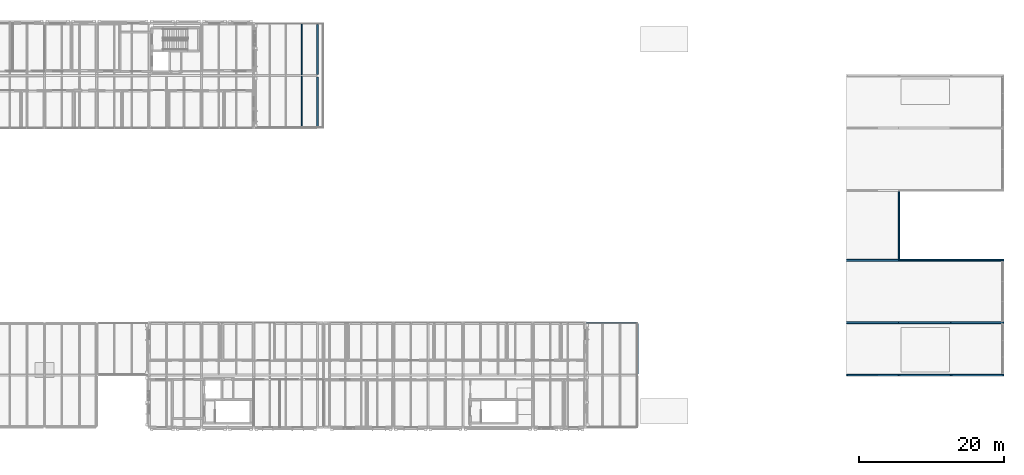
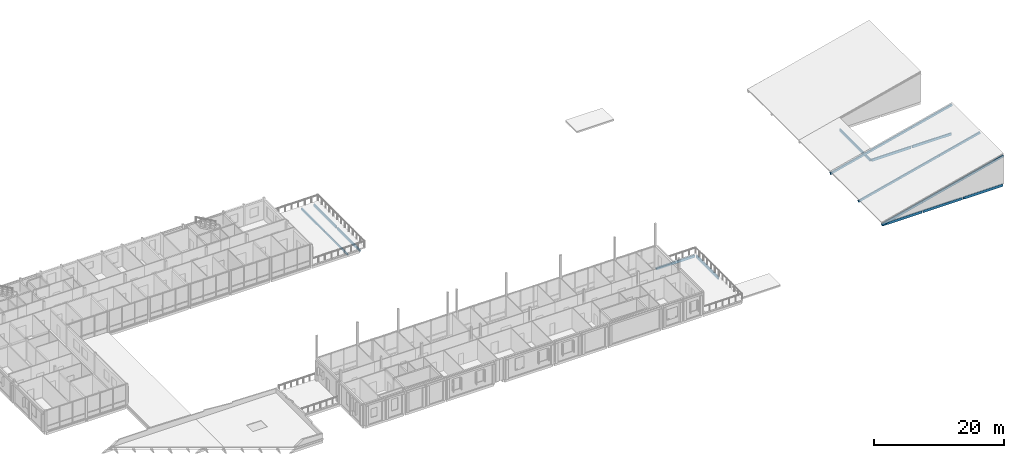
# One storey, part 27 of 57: 12 beams, 9 members.
"""IFC4 building model written with IfcOpenShell, lengths in metres."""

from ifc_helpers import new_model, si_unit, direction, frame, origin, origin_2d, place, context, subcontext, project, spatial, rectangle, extrude, material, material_profile, profile_set, type_object, element, save


model = new_model("IFC4")

# Units and contexts
model_context = context("Model", 3, precision=1e-05, world=origin(), true_north=direction((0.0, 1.0)))
body_context = subcontext(model_context, "Body", "Model", "MODEL_VIEW")
ifc_project = project(units=[si_unit("LENGTHUNIT", "METRE"), si_unit("AREAUNIT", "SQUARE_METRE"), si_unit("VOLUMEUNIT", "CUBIC_METRE"), si_unit("PLANEANGLEUNIT", "RADIAN"), si_unit("MASSUNIT", "GRAM", prefix="KILO")], contexts=[model_context])

# Site, building, storey
site_placement = place(None, origin())
site = spatial("IfcSite", under=ifc_project, at=site_placement, CompositionType="ELEMENT")
building_placement = place(site_placement, origin())
building = spatial("IfcBuilding", under=site, at=building_placement, Name="Hawrajan Terrace Health Centre", CompositionType="ELEMENT")
storey_placement = place(building_placement, frame((0.0, 0.0, 13.199951171875)))
storey = spatial("IfcBuildingStorey", under=building, at=storey_placement, Name="L03", CompositionType="ELEMENT", Elevation=13.199951171875)

# Beams
ifc_material_1 = material(Name="Glulam GL28h", Category="wood")
ifc_material_profile_1 = material_profile(ifc_material_1, rectangle(XDim=0.159912109375, YDim=0.360107421875, at=origin_2d()), Name="GL JST 160x360")
ifc_profile_set_1 = profile_set([ifc_material_profile_1], Name="Glulam GL28h")
beam_type_1 = type_object("IfcBeamType", Name="GlulamJoist_160x360", PredefinedType="JOIST", material=ifc_profile_set_1)
for number, where, z_axis, x_axis, name in (
    (1, (68.800048828125, 45.5, -0.39990234375), (0.0, 1.0, 0.0), (-1.0, 0.0, 0.0), "Secondary joist JST-L03-W-09-6-3"),
    (2, (68.800048828125, 52.699951171875, -0.39990234375), (0.0, 1.0, 0.0), (-1.0, 0.0, 0.0), "Secondary joist JST-L03-W-09-7-3"),
):
    element("IfcBeam", number, at=place(storey_placement, frame(where, z_axis=z_axis, x_axis=x_axis)), inside=storey, type_object=beam_type_1, Name=name, PredefinedType="JOIST", context=body_context, shape_type="SweptSolid", body=[
        extrude(rectangle(XDim=0.159912109375, YDim=0.360107421875, at=origin_2d()), origin(), (0.0, 0.0, 1.0), 7.0),
    ])
ifc_material_2 = material(Name="Glulam GL32h", Category="wood")
ifc_material_profile_2 = material_profile(ifc_material_2, rectangle(XDim=0.199951171875, YDim=0.4599609375, at=origin_2d()), Name="GL SP 200x460")
ifc_profile_set_2 = profile_set([ifc_material_profile_2], Name="Glulam GL32h")
beam_type_2 = type_object("IfcBeamType", Name="GlulamSpandrel_200x460", PredefinedType="SPANDREL", material=ifc_profile_set_2)
for number, where, z_axis, x_axis, name in (
    (3, (71.0, 45.56005859375, -0.449951171875), (0.0, 1.0, 0.0), (-1.0, 0.0, 0.0), "Beam BM-Y-L03-W-X10-6"),
    (4, (71.0, 52.780029296875, -0.449951171875), (0.0, 1.0, 0.0), (-1.0, 0.0, 0.0), "Beam BM-Y-L03-W-X10-7"),
):
    element("IfcBeam", number, at=place(storey_placement, frame(where, z_axis=z_axis, x_axis=x_axis)), inside=storey, type_object=beam_type_2, Name=name, PredefinedType="SPANDREL", context=body_context, shape_type="SweptSolid", body=[
        extrude(rectangle(XDim=0.199951171875, YDim=0.4599609375, at=origin_2d()), origin(), (0.0, 0.0, 1.0), 6.85986328125),
    ])
beam_1_placement = place(storey_placement, frame((107.93994140625, 18.60009765625, -0.449951171875), z_axis=(1.0, 0.0, 0.0), x_axis=(0.0, 1.0, 0.0)))
element("IfcBeam", 5, at=beam_1_placement, inside=storey, type_object=beam_type_2, Name="Beam BM-X-L03-C-14-Y3", PredefinedType="SPANDREL", context=body_context, shape_type="SweptSolid", body=[
    extrude(rectangle(XDim=0.199951171875, YDim=0.4599609375, at=origin_2d()), origin(), (0.0, 0.0, 1.0), 6.900146484375),
])
beam_2_placement = place(storey_placement, frame((115.0, 11.580078125, -0.449951171875), z_axis=(0.0, 1.0, 0.0), x_axis=(-1.0, 0.0, 0.0)))
element("IfcBeam", 6, at=beam_2_placement, inside=storey, type_object=beam_type_2, Name="Beam BM-Y-L03-C-X15-2", PredefinedType="SPANDREL", context=body_context, shape_type="SweptSolid", body=[
    extrude(rectangle(XDim=0.199951171875, YDim=0.4599609375, at=origin_2d()), origin(), (0.0, 0.0, 1.0), 6.85986328125),
])
for number, where, z_axis, x_axis, name in (
    (7, (143.919921875, 11.39990234375, -0.429931640625), (1.0, 0.0, 0.0), (0.0, 1.0, 0.0), "Pavilion eave spandrel BM-V6-EAVE-S1"),
    (8, (151.1201171875, 11.39990234375, -0.429931640625), (1.0, 0.0, 0.0), (0.0, 1.0, 0.0), "Pavilion eave spandrel BM-V6-EAVE-S2"),
    (9, (158.320068359375, 11.39990234375, -0.429931640625), (1.0, 0.0, 0.0), (0.0, 1.0, 0.0), "Pavilion eave spandrel BM-V6-EAVE-S3"),
    (10, (151.1201171875, 27.199951171875, -0.429931640625), (1.0, 0.0, 0.0), (0.0, 1.0, 0.0), "Pavilion eave spandrel BM-V6-EAVE-SC1"),
    (11, (158.320068359375, 27.199951171875, -0.429931640625), (1.0, 0.0, 0.0), (0.0, 1.0, 0.0), "Pavilion eave spandrel BM-V6-EAVE-SC2"),
):
    element("IfcBeam", number, at=place(storey_placement, frame(where, z_axis=z_axis, x_axis=x_axis)), inside=storey, type_object=beam_type_2, Name=name, PredefinedType="SPANDREL", context=body_context, shape_type="SweptSolid", body=[
        extrude(rectangle(XDim=0.199951171875, YDim=0.4599609375, at=origin_2d()), origin(), (0.0, 0.0, 1.0), 6.9599609375),
    ])
beam_3_placement = place(storey_placement, frame((151.0, 27.320068359375, -0.429931640625), z_axis=(0.0, 1.0, 0.0), x_axis=(-1.0, 0.0, 0.0)))
element("IfcBeam", 12, at=beam_3_placement, inside=storey, type_object=beam_type_2, Name="Pavilion eave spandrel BM-V6-EAVE-MID", PredefinedType="SPANDREL", context=body_context, shape_type="SweptSolid", body=[
    extrude(rectangle(XDim=0.199951171875, YDim=0.4599609375, at=origin_2d()), origin(), (0.0, 0.0, 1.0), 9.35986328125),
])

# Members
ifc_material_profile_3 = material_profile(ifc_material_2, rectangle(XDim=0.219970703125, YDim=0.3798828125, at=origin_2d()), Name="GL CHD 220x380")
ifc_profile_set_3 = profile_set([ifc_material_profile_3], Name="Glulam GL32h")
member_type = type_object("IfcMemberType", Name="RoofRafter_220x380", PredefinedType="RAFTER", material=ifc_profile_set_3)
for number, where, z_axis, x_axis, name in (
    (13, (143.800048828125, 11.39990234375, -0.3798828125), (0.970295202119, 0.0, 0.24192399787), (0.0, 1.0, 0.0), "Pavilion rafter SOUTH-Y2-X19"),
    (14, (151.0, 11.39990234375, 1.415283203125), (0.970295202119, 0.0, 0.24192399787), (0.0, 1.0, 0.0), "Pavilion rafter SOUTH-Y2-X20"),
    (15, (158.199951171875, 11.39990234375, 3.21044921875), (0.970295202119, 0.0, 0.24192399787), (0.0, 1.0, 0.0), "Pavilion rafter SOUTH-Y2-X21"),
    (16, (143.800048828125, 18.60009765625, -0.3798828125), (0.970295202119, 0.0, 0.24192399787), (0.0, 1.0, 0.0), "Pavilion rafter SOUTH-Y3-X19"),
    (17, (151.0, 18.60009765625, 1.415283203125), (0.970295202119, 0.0, 0.24192399787), (0.0, 1.0, 0.0), "Pavilion rafter SOUTH-Y3-X20"),
    (18, (158.199951171875, 18.60009765625, 3.21044921875), (0.970295202119, 0.0, 0.24192399787), (0.0, 1.0, 0.0), "Pavilion rafter SOUTH-Y3-X21"),
    (19, (143.800048828125, 27.199951171875, -0.3798828125), (0.970295202119, 0.0, 0.24192399787), (0.0, 1.0, 0.0), "Pavilion rafter SOUTH-Y4-X19"),
    (20, (151.0, 27.199951171875, 1.415283203125), (0.970295202119, 0.0, 0.24192399787), (0.0, 1.0, 0.0), "Pavilion rafter SOUTH-Y4-X20"),
    (21, (158.199951171875, 27.199951171875, 3.21044921875), (0.970295202119, 0.0, 0.24192399787), (0.0, 1.0, 0.0), "Pavilion rafter SOUTH-Y4-X21"),
):
    element("IfcMember", number, at=place(storey_placement, frame(where, z_axis=z_axis, x_axis=x_axis)), inside=storey, type_object=member_type, Name=name, PredefinedType="RAFTER", context=body_context, shape_type="SweptSolid", body=[
        extrude(rectangle(XDim=0.219970703125, YDim=0.3798828125, at=origin_2d()), origin(), (0.0, 0.0, 1.0), 7.42041015625),
    ])

save(model, "model.ifc")
